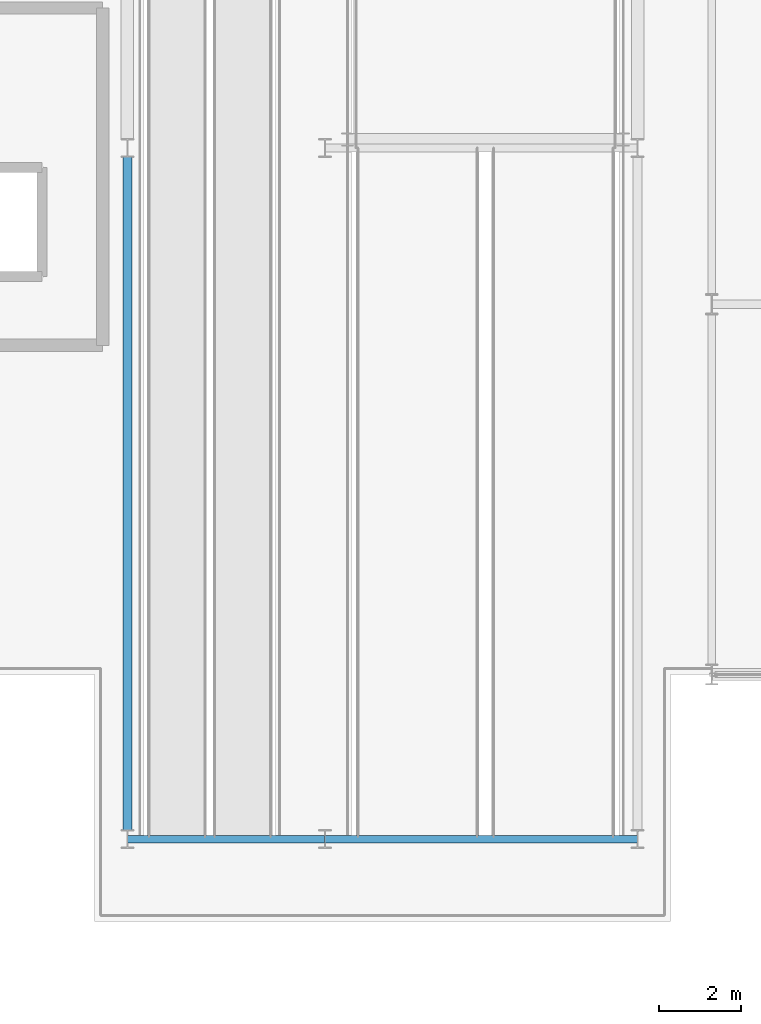
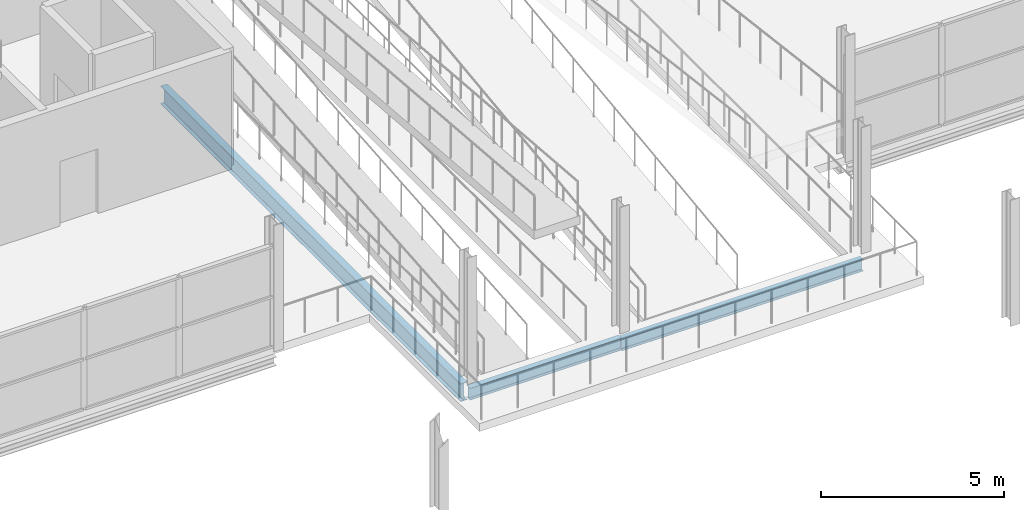
# One storey, part 19 of 103: 3 beams.
"""IFC4 building model written with IfcOpenShell, lengths in metres."""

from ifc_helpers import new_model, si_unit, direction, frame, origin, origin_2d, place, context, subcontext, project, spatial, i_section, extrude, material, material_profile, profile_set, type_object, element, save


model = new_model("IFC4")

# Units and contexts
model_context = context("Model", 3, precision=1e-05, world=origin(), true_north=direction((0.0, 1.0)))
body_context = subcontext(model_context, "Body", "Model", "MODEL_VIEW")
ifc_project = project(units=[si_unit("LENGTHUNIT", "METRE"), si_unit("AREAUNIT", "SQUARE_METRE"), si_unit("VOLUMEUNIT", "CUBIC_METRE"), si_unit("PLANEANGLEUNIT", "RADIAN"), si_unit("MASSUNIT", "GRAM", prefix="KILO")], contexts=[model_context])

# Site, building, storey
site_placement = place(None, origin())
site = spatial("IfcSite", under=ifc_project, at=site_placement, CompositionType="ELEMENT")
building_placement = place(site_placement, origin())
building = spatial("IfcBuilding", under=site, at=building_placement, Name="Deido Ridge Mobility Hub", CompositionType="ELEMENT")
storey_placement = place(building_placement, frame((0.0, 0.0, 12.60009765625)))
storey = spatial("IfcBuildingStorey", under=building, at=storey_placement, Name="L03", CompositionType="ELEMENT", Elevation=12.60009765625)

# Beams
ifc_material = material(Name="Steel S355J2 EN 10025-2", Category="steel")
ifc_material_profile_1 = material_profile(ifc_material, i_section(OverallWidth=0.179931640625, OverallDepth=0.39990234375, WebThickness=0.008544921875, FlangeThickness=0.013427734375, FilletRadius=0.02099609375, at=origin_2d()), Name="IPE 400")
ifc_profile_set_1 = profile_set([ifc_material_profile_1], Name="Steel S355J2 EN 10025-2")
beam_type_1 = type_object("IfcBeamType", Name="BM-IPE400", PredefinedType="BEAM", material=ifc_profile_set_1)
beam_1_placement = place(storey_placement, frame((84.806884765625, 50.0, -0.465087890625), z_axis=(1.0, 0.0, 0.0), x_axis=(0.0, 1.0, 0.0)))
element("IfcBeam", 1, at=beam_1_placement, inside=storey, type_object=beam_type_1, Name="Floor beam B5", PredefinedType="BEAM", context=body_context, shape_type="SweptSolid", body=[
    extrude(i_section(OverallWidth=0.179931640625, OverallDepth=0.39990234375, WebThickness=0.008544921875, FlangeThickness=0.013427734375, FilletRadius=0.02099609375, at=origin_2d()), origin(), (0.0, 0.0, 1.0), 4.7861328125),
])
beam_2_placement = place(storey_placement, frame((89.60693359375, 50.0, -0.5), z_axis=(1.0, 0.0, 0.0), x_axis=(0.0, 1.0, 0.0)))
element("IfcBeam", 2, at=beam_2_placement, inside=storey, type_object=beam_type_1, Name="Floor beam B5", PredefinedType="BEAM", context=body_context, shape_type="SweptSolid", body=[
    extrude(i_section(OverallWidth=0.179931640625, OverallDepth=0.39990234375, WebThickness=0.008544921875, FlangeThickness=0.013427734375, FilletRadius=0.02099609375, at=origin_2d()), origin(), (0.0, 0.0, 1.0), 7.586181640625),
])
ifc_material_profile_2 = material_profile(ifc_material, i_section(OverallWidth=0.219970703125, OverallDepth=0.60009765625, WebThickness=0.011962890625, FlangeThickness=0.01904296875, FilletRadius=0.02392578125, at=origin_2d()), Name="IPE 600")
ifc_profile_set_2 = profile_set([ifc_material_profile_2], Name="Steel S355J2 EN 10025-2")
beam_type_2 = type_object("IfcBeamType", Name="BM-IPE600", PredefinedType="BEAM", material=ifc_profile_set_2)
beam_3_placement = place(storey_placement, frame((84.800048828125, 50.22509765625, -0.565185546875), z_axis=(0.0, 1.0, 0.0), x_axis=(-1.0, 0.0, 0.0)))
element("IfcBeam", 3, at=beam_3_placement, inside=storey, type_object=beam_type_2, Name="Floor beam B1", PredefinedType="BEAM", context=body_context, shape_type="SweptSolid", body=[
    extrude(i_section(OverallWidth=0.219970703125, OverallDepth=0.60009765625, WebThickness=0.011962890625, FlangeThickness=0.01904296875, FilletRadius=0.02392578125, at=origin_2d()), origin(), (0.0, 0.0, 1.0), 16.349853515625),
])

save(model, "model.ifc")
